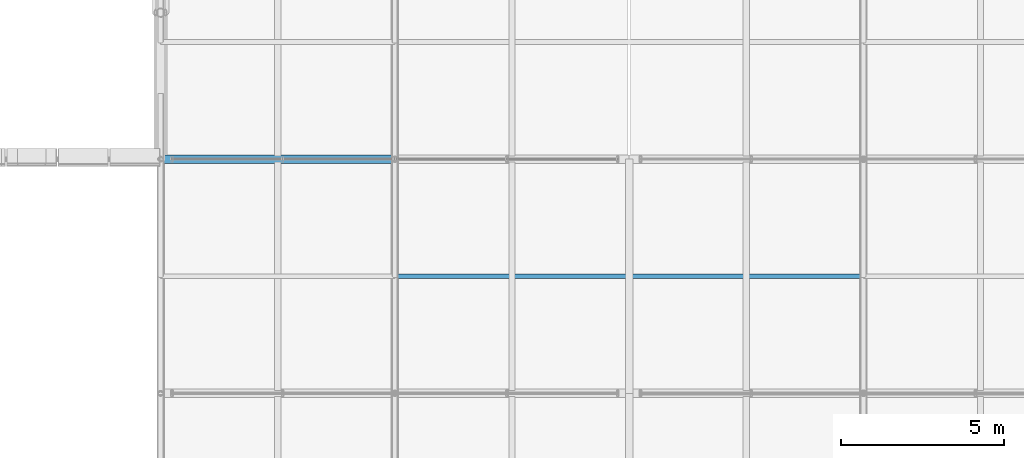
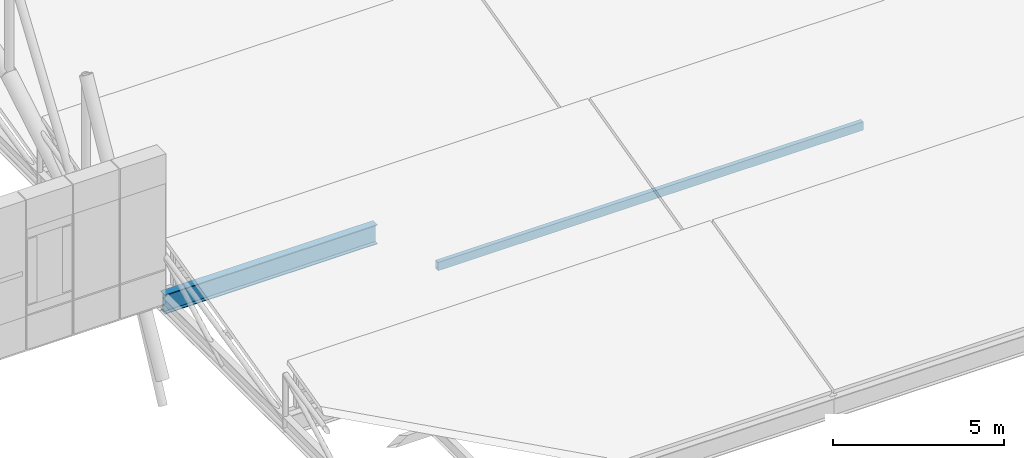
# One storey, part 56 of 144: 1 beam, 1 member.
"""IFC4 building model written with IfcOpenShell, lengths in metres."""

from ifc_helpers import new_model, si_unit, direction, frame, origin, origin_2d, place, context, subcontext, project, spatial, hollow_rectangle, i_section, extrude, material, material_profile, profile_set, type_object, element, save


model = new_model("IFC4")

# Units and contexts
model_context = context("Model", 3, precision=1e-05, world=origin(), true_north=direction((0.0, 1.0)))
body_context = subcontext(model_context, "Body", "Model", "MODEL_VIEW")
ifc_project = project(units=[si_unit("LENGTHUNIT", "METRE"), si_unit("AREAUNIT", "SQUARE_METRE"), si_unit("VOLUMEUNIT", "CUBIC_METRE"), si_unit("PLANEANGLEUNIT", "RADIAN"), si_unit("MASSUNIT", "GRAM", prefix="KILO")], contexts=[model_context])

# Site, building, storey
site_placement = place(None, origin())
site = spatial("IfcSite", under=ifc_project, at=site_placement, CompositionType="ELEMENT")
building_placement = place(site_placement, origin())
building = spatial("IfcBuilding", under=site, at=building_placement, Name="Yarey Park Central Fire Station", CompositionType="ELEMENT")
storey_placement = place(building_placement, frame((0.0, 0.0, 10.199951171875)))
storey = spatial("IfcBuildingStorey", under=building, at=storey_placement, Name="L03", CompositionType="ELEMENT", Elevation=10.199951171875)

# Beam
ifc_material_1 = material(Name="Steel ASTM A992 Gr. 50", Category="steel")
ifc_material_profile_1 = material_profile(ifc_material_1, i_section(OverallWidth=0.256103515625, OverallDepth=0.693115234375, WebThickness=0.014404296875, FlangeThickness=0.023681640625, at=origin_2d()), Name="W690x170")
ifc_profile_set_1 = profile_set([ifc_material_profile_1], Name="Steel ASTM A992 Gr. 50")
beam_type = type_object("IfcBeamType", Name="STR_BM_W690", PredefinedType="BEAM", material=ifc_profile_set_1)
beam_placement = place(storey_placement, frame((136.800048828125, 57.60009765625, -0.5263671875), z_axis=(1.0, 0.0, 0.0), x_axis=(0.0, 1.0, 0.0)))
element("IfcBeam", 1, at=beam_placement, inside=storey, type_object=beam_type, Name="BMX L03 Y576 X1368", PredefinedType="BEAM", context=body_context, shape_type="SweptSolid", body=[
    extrude(i_section(OverallWidth=0.256103515625, OverallDepth=0.693115234375, WebThickness=0.014404296875, FlangeThickness=0.023681640625, at=origin_2d()), origin(), (0.0, 0.0, 1.0), 7.199951171875),
])

# Member
ifc_material_2 = material(Name="Steel ASTM A500 Gr. C", Category="steel")
ifc_material_profile_2 = material_profile(ifc_material_2, hollow_rectangle(XDim=0.14990234375, YDim=0.300048828125, WallThickness=0.010009765625, at=origin_2d()), Name="HSS 300x150x10")
ifc_profile_set_2 = profile_set([ifc_material_profile_2], Name="Steel ASTM A500 Gr. C")
member_type = type_object("IfcMemberType", Name="STR_PUR_HSS300", PredefinedType="PURLIN", material=ifc_profile_set_2)
member_placement = place(storey_placement, frame((144.0, 54.0, 0.462646484375), z_axis=(1.0, 0.0, 0.0), x_axis=(0.0, 1.0, 0.0)))
element("IfcMember", 2, at=member_placement, inside=storey, type_object=member_type, Name="SAW_PUR_2_B2", PredefinedType="PURLIN", context=body_context, shape_type="SweptSolid", body=[
    extrude(hollow_rectangle(XDim=0.14990234375, YDim=0.300048828125, WallThickness=0.010009765625, at=origin_2d()), origin(), (0.0, 0.0, 1.0), 14.39990234375),
])

save(model, "model.ifc")
